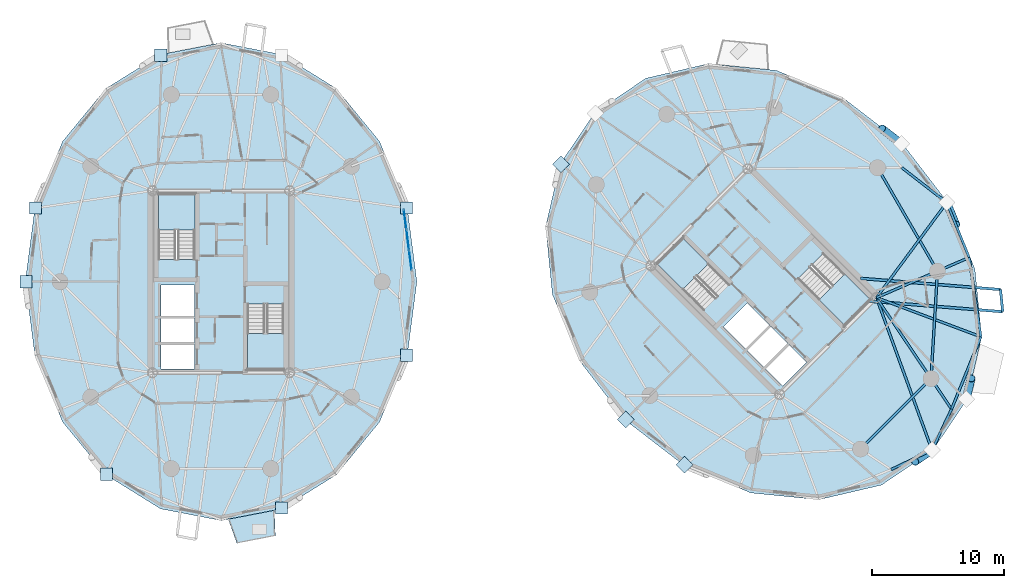
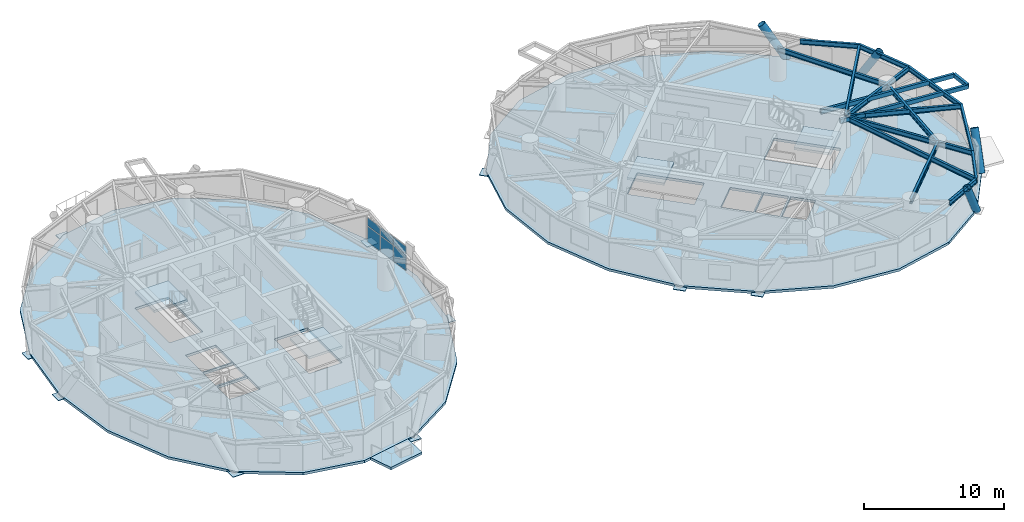
# One storey, part 8 of 19: 17 beams, 16 plates, 7 slabs, 4 members, 5 elements without a shape of their own.
"""IFC4 building model written with IfcOpenShell, lengths in metres."""

from ifc_helpers import new_model, si_unit, direction, frame, origin, origin_2d, place, context, subcontext, project, spatial, polyline, rectangle, hollow_rectangle, hollow_circle, i_section, outline, extrude, source, transform, mapped, material, layer, layer_set, material_profile, profile_set, type_object, element, aggregate, save


model = new_model("IFC4")

# Units and contexts
model_context = context("Model", 3, precision=1e-05, world=origin(), true_north=direction((0.0, 1.0)))
body_context = subcontext(model_context, "Body", "Model", "MODEL_VIEW")
ifc_project = project(units=[si_unit("LENGTHUNIT", "METRE"), si_unit("AREAUNIT", "SQUARE_METRE"), si_unit("VOLUMEUNIT", "CUBIC_METRE"), si_unit("PLANEANGLEUNIT", "RADIAN"), si_unit("MASSUNIT", "GRAM", prefix="KILO")], contexts=[model_context])

# Site, building, storey
site_placement = place(None, origin())
site = spatial("IfcSite", under=ifc_project, at=site_placement, CompositionType="ELEMENT")
building_placement = place(site_placement, origin())
building = spatial("IfcBuilding", under=site, at=building_placement, Name="Cununo Teusaquillo Station Towers", CompositionType="ELEMENT")
storey_placement = place(building_placement, frame((0.0, 0.0, 151.60009765625)))
storey = spatial("IfcBuildingStorey", under=building, at=storey_placement, Name="L47", CompositionType="ELEMENT", Elevation=151.60009765625)

# Beams
ifc_material_1 = material(Name="Steel EN 10025-2 S355J2", Category="steel")
ifc_material_profile_1 = material_profile(ifc_material_1, hollow_rectangle(XDim=0.199951171875, YDim=0.35009765625, WallThickness=0.013916015625, at=origin_2d()), Name="RHS 350x200x14")
ifc_profile_set_1 = profile_set([ifc_material_profile_1], Name="Steel EN 10025-2 S355J2")
beam_type_1 = type_object("IfcBeamType", Name="BM-BAL-CANT", PredefinedType="BEAM", material=ifc_profile_set_1)
beam_1_placement = place(storey_placement, frame((65.439697265625, 23.03515625, 2.514892578125), z_axis=(0.996837639445, -0.079465216198, 0.0), x_axis=(0.079465216198, 0.996837639445, 0.0)))
element("IfcBeam", 1, at=beam_1_placement, inside=storey, type_object=beam_type_1, Name="L47 Tower B Balcony Cantilever Bracket 2A", PredefinedType="BEAM", context=body_context, shape_type="SweptSolid", body=[
    extrude(hollow_rectangle(XDim=0.199951171875, YDim=0.35009765625, WallThickness=0.013916015625, at=origin_2d()), origin(), (0.0, 0.0, 1.0), 10.154052734375),
])
beam_2_placement = place(storey_placement, frame((64.8173828125, 24.74853515625, 2.514892578125), z_axis=(0.996839446438, -0.079442545434, 0.0), x_axis=(0.079442545434, 0.996839446438, 0.0)))
element("IfcBeam", 2, at=beam_2_placement, inside=storey, type_object=beam_type_1, Name="L47 Tower B Balcony Cantilever Bracket 2B", PredefinedType="BEAM", context=body_context, shape_type="SweptSolid", body=[
    extrude(hollow_rectangle(XDim=0.199951171875, YDim=0.35009765625, WallThickness=0.013916015625, at=origin_2d()), origin(), (0.0, 0.0, 1.0), 10.611572265625),
])
ifc_material_2 = material(Name="Steel ASTM A572 Grade 50", Category="steel")
ifc_material_profile_2 = material_profile(ifc_material_2, i_section(OverallWidth=0.180908203125, OverallDepth=0.4169921875, WebThickness=0.010986328125, FlangeThickness=0.018310546875, FilletRadius=0.012939453125, at=origin_2d()), Name="W16X57")
ifc_profile_set_2 = profile_set([ifc_material_profile_2], Name="Steel ASTM A572 Grade 50")
beam_type_2 = type_object("IfcBeamType", Name="BM-JOIST-1", PredefinedType="JOIST", material=ifc_profile_set_2)
beam_3_placement = place(storey_placement, frame((66.024169921875, 23.29443359375, 2.4814453125), z_axis=(0.34241791496, -0.939547748395, 0.0), x_axis=(0.939547748395, 0.34241791496, 0.0)))
element("IfcBeam", 3, at=beam_3_placement, inside=storey, type_object=beam_type_2, Name="L47 Tower B Radial Spandrel Joist V15", PredefinedType="JOIST", context=body_context, shape_type="SweptSolid", body=[
    extrude(i_section(OverallWidth=0.180908203125, OverallDepth=0.4169921875, WebThickness=0.010986328125, FlangeThickness=0.018310546875, FilletRadius=0.012939453125, at=origin_2d()), origin(), (0.0, 0.0, 1.0), 12.25634765625),
])
beam_4_placement = place(storey_placement, frame((66.024169921875, 23.29443359375, 2.4814453125), z_axis=(0.936244635323, -0.351348805076, 0.0), x_axis=(0.351348805076, 0.936244635323, 0.0)))
element("IfcBeam", 4, at=beam_4_placement, inside=storey, type_object=beam_type_2, Name="L47 Tower B Radial Spandrel Joist V17", PredefinedType="JOIST", context=body_context, shape_type="SweptSolid", body=[
    extrude(i_section(OverallWidth=0.180908203125, OverallDepth=0.4169921875, WebThickness=0.010986328125, FlangeThickness=0.018310546875, FilletRadius=0.012939453125, at=origin_2d()), origin(), (0.0, 0.0, 1.0), 8.4287109375),
])
beam_5_placement = place(storey_placement, frame((66.024169921875, 23.29443359375, 2.4814453125), z_axis=(0.594834179272, 0.803848430471, 0.0), x_axis=(-0.803848430471, 0.594834179272, 0.0)))
element("IfcBeam", 5, at=beam_5_placement, inside=storey, type_object=beam_type_2, Name="L47 Tower B Radial Spandrel Joist V19", PredefinedType="JOIST", context=body_context, shape_type="SweptSolid", body=[
    extrude(i_section(OverallWidth=0.180908203125, OverallDepth=0.4169921875, WebThickness=0.010986328125, FlangeThickness=0.018310546875, FilletRadius=0.012939453125, at=origin_2d()), origin(), (0.0, 0.0, 1.0), 8.936767578125),
])
ifc_material_3 = material(Name="Steel ASTM A572 Grade 50", Category="steel")
ifc_material_profile_3 = material_profile(ifc_material_3, i_section(OverallWidth=0.180908203125, OverallDepth=0.4169921875, WebThickness=0.010986328125, FlangeThickness=0.018310546875, FilletRadius=0.012939453125, at=origin_2d()), Name="W16X57")
ifc_profile_set_3 = profile_set([ifc_material_profile_3], Name="Steel ASTM A572 Grade 50")
beam_type_3 = type_object("IfcBeamType", Name="BM-RAD-G2", PredefinedType="BEAM", material=ifc_profile_set_3)
beam_6_placement = place(storey_placement, frame((66.024169921875, 23.29443359375, 2.4814453125), z_axis=(0.558570687133, -0.829456923219, 0.0), x_axis=(0.829456923219, 0.558570687133, 0.0)))
element("IfcBeam", 6, at=beam_6_placement, inside=storey, type_object=beam_type_3, Name="L47 Tower B Continuous Overhanging Radial Girder 09", PredefinedType="BEAM", context=body_context, shape_type="SweptSolid", body=[
    extrude(i_section(OverallWidth=0.180908203125, OverallDepth=0.4169921875, WebThickness=0.010986328125, FlangeThickness=0.018310546875, FilletRadius=0.012939453125, at=origin_2d()), origin(), (0.0, 0.0, 1.0), 10.1591796875),
])
beam_7_placement = place(storey_placement, frame((66.024169921875, 23.29443359375, 2.4814453125), z_axis=(0.917655964072, 0.397375806515, 0.0), x_axis=(-0.397375806515, 0.917655964072, 0.0)))
element("IfcBeam", 7, at=beam_7_placement, inside=storey, type_object=beam_type_3, Name="L47 Tower B Continuous Overhanging Radial Girder 10", PredefinedType="BEAM", context=body_context, shape_type="SweptSolid", body=[
    extrude(i_section(OverallWidth=0.180908203125, OverallDepth=0.4169921875, WebThickness=0.010986328125, FlangeThickness=0.018310546875, FilletRadius=0.012939453125, at=origin_2d()), origin(), (0.0, 0.0, 1.0), 7.6318359375),
])
ifc_material_4 = material(Name="Steel ASTM A572 Grade 50", Category="steel")
ifc_material_profile_4 = material_profile(ifc_material_4, i_section(OverallWidth=0.180908203125, OverallDepth=0.4169921875, WebThickness=0.010986328125, FlangeThickness=0.018310546875, FilletRadius=0.012939453125, at=origin_2d()), Name="W16X57")
ifc_profile_set_4 = profile_set([ifc_material_profile_4], Name="Steel ASTM A572 Grade 50")
beam_type_4 = type_object("IfcBeamType", Name="BM-RING-Z3", PredefinedType="SPANDREL", material=ifc_profile_set_4)
beam_8_placement = place(storey_placement, frame((64.826904296875, 11.853759765625, 2.4814453125), z_axis=(0.707106781187, 0.707106781187, 0.0), x_axis=(-0.707106781187, 0.707106781187, 0.0)))
element("IfcBeam", 8, at=beam_8_placement, inside=storey, type_object=beam_type_4, Name="L47 Tower B Structural Column Ring Girder 08", PredefinedType="SPANDREL", context=body_context, shape_type="SweptSolid", body=[
    extrude(i_section(OverallWidth=0.180908203125, OverallDepth=0.4169921875, WebThickness=0.010986328125, FlangeThickness=0.018310546875, FilletRadius=0.012939453125, at=origin_2d()), origin(), (0.0, 0.0, 1.0), 7.522705078125),
])
beam_9_placement = place(storey_placement, frame((70.146240234375, 17.173095703125, 2.4814453125), z_axis=(0.06012979176, 0.998190567048, 0.0), x_axis=(-0.998190567048, 0.06012979176, 0.0)))
element("IfcBeam", 9, at=beam_9_placement, inside=storey, type_object=beam_type_4, Name="L47 Tower B Structural Column Ring Girder 09", PredefinedType="SPANDREL", context=body_context, shape_type="SweptSolid", body=[
    extrude(i_section(OverallWidth=0.180908203125, OverallDepth=0.4169921875, WebThickness=0.010986328125, FlangeThickness=0.018310546875, FilletRadius=0.012939453125, at=origin_2d()), origin(), (0.0, 0.0, 1.0), 8.132568359375),
])
beam_10_placement = place(storey_placement, frame((70.63525390625, 25.291015625, 2.4814453125), z_axis=(-0.501311121078, 0.865267103202, 0.0), x_axis=(-0.865267103202, -0.501311121078, 0.0)))
element("IfcBeam", 10, at=beam_10_placement, inside=storey, type_object=beam_type_4, Name="L47 Tower B Structural Column Ring Girder 10", PredefinedType="SPANDREL", context=body_context, shape_type="SweptSolid", body=[
    extrude(i_section(OverallWidth=0.180908203125, OverallDepth=0.4169921875, WebThickness=0.010986328125, FlangeThickness=0.018310546875, FilletRadius=0.012939453125, at=origin_2d()), origin(), (0.0, 0.0, 1.0), 9.032958984375),
])
for number, where, z_axis, x_axis, name in (
    (11, (67.132080078125, 10.30126953125, 2.4814453125), (0.902077503555, 0.431574069634, 0.0), (-0.431574069634, 0.902077503555, 0.0), "L47 Tower B Spandrel Ring Beam 15"),
    (12, (70.220947265625, 11.779052734375, 2.4814453125), (0.431574069634, 0.902077503555, 0.0), (-0.902077503555, 0.431574069634, 0.0), "L47 Tower B Spandrel Ring Beam 16"),
):
    element("IfcBeam", number, at=place(storey_placement, frame(where, z_axis=z_axis, x_axis=x_axis)), inside=storey, type_object=beam_type_4, Name=name, PredefinedType="SPANDREL", context=body_context, shape_type="SweptSolid", body=[
        extrude(i_section(OverallWidth=0.180908203125, OverallDepth=0.4169921875, WebThickness=0.010986328125, FlangeThickness=0.018310546875, FilletRadius=0.012939453125, at=origin_2d()), origin(), (0.0, 0.0, 1.0), 3.424072265625),
    ])
beam_11_placement = place(storey_placement, frame((71.69873046875, 14.867919921875, 2.4814453125), z_axis=(0.375882869104, 0.926667183359, 0.0), x_axis=(-0.926667183359, 0.375882869104, 0.0)))
element("IfcBeam", 13, at=beam_11_placement, inside=storey, type_object=beam_type_4, Name="L47 Tower B Spandrel Ring Beam 17", PredefinedType="SPANDREL", context=body_context, shape_type="SweptSolid", body=[
    extrude(i_section(OverallWidth=0.180908203125, OverallDepth=0.4169921875, WebThickness=0.010986328125, FlangeThickness=0.018310546875, FilletRadius=0.012939453125, at=origin_2d()), origin(), (0.0, 0.0, 1.0), 5.8974609375),
])
beam_12_placement = place(storey_placement, frame((73.91552734375, 20.3330078125, 2.4814453125), z_axis=(-0.146535519435, 0.989205409176, 0.0), x_axis=(-0.989205409176, -0.146535519435, 0.0)))
element("IfcBeam", 14, at=beam_12_placement, inside=storey, type_object=beam_type_4, Name="L47 Tower B Spandrel Ring Beam 18", PredefinedType="SPANDREL", context=body_context, shape_type="SweptSolid", body=[
    extrude(i_section(OverallWidth=0.180908203125, OverallDepth=0.4169921875, WebThickness=0.010986328125, FlangeThickness=0.018310546875, FilletRadius=0.012939453125, at=origin_2d()), origin(), (0.0, 0.0, 1.0), 6.0595703125),
])
beam_13_placement = place(storey_placement, frame((73.027587890625, 26.3271484375, 2.4814453125), z_axis=(-0.376588942192, 0.926380466449, 0.0), x_axis=(-0.926380466449, -0.376588942192, 0.0)))
element("IfcBeam", 15, at=beam_13_placement, inside=storey, type_object=beam_type_4, Name="L47 Tower B Spandrel Ring Beam 19", PredefinedType="SPANDREL", context=body_context, shape_type="SweptSolid", body=[
    extrude(i_section(OverallWidth=0.180908203125, OverallDepth=0.4169921875, WebThickness=0.010986328125, FlangeThickness=0.018310546875, FilletRadius=0.012939453125, at=origin_2d()), origin(), (0.0, 0.0, 1.0), 4.48095703125),
])
beam_14_placement = place(storey_placement, frame((71.340087890625, 30.478271484375, 2.4814453125), z_axis=(-0.789900716386, 0.613234749711, 0.0), x_axis=(-0.613234749711, -0.789900716386, 0.0)))
element("IfcBeam", 16, at=beam_14_placement, inside=storey, type_object=beam_type_4, Name="L47 Tower B Spandrel Ring Beam 20", PredefinedType="SPANDREL", context=body_context, shape_type="SweptSolid", body=[
    extrude(i_section(OverallWidth=0.180908203125, OverallDepth=0.4169921875, WebThickness=0.010986328125, FlangeThickness=0.018310546875, FilletRadius=0.012939453125, at=origin_2d()), origin(), (0.0, 0.0, 1.0), 4.3115234375),
])
ifc_material_5 = material(Name="Steel EN 10025-2 S355J2", Category="steel")
ifc_material_profile_5 = material_profile(ifc_material_5, hollow_rectangle(XDim=0.199951171875, YDim=0.35009765625, WallThickness=0.013916015625, at=origin_2d()), Name="RHS 350x200x14")
ifc_profile_set_5 = profile_set([ifc_material_profile_5], Name="Steel EN 10025-2 S355J2")
beam_type_5 = type_object("IfcBeamType", Name="BM-STAIR-TRIM", PredefinedType="BEAM", material=ifc_profile_set_5)
beam_15_placement = place(storey_placement, frame((75.5615234375, 22.228271484375, 2.52490234375), z_axis=(-0.098499739753, 0.995137076622, 0.0), x_axis=(-0.995137076622, -0.098499739753, 0.0)))
element("IfcBeam", 17, at=beam_15_placement, inside=storey, type_object=beam_type_5, Name="L47 Tower B Balcony Edge Trimmer Beam 2", PredefinedType="BEAM", context=body_context, shape_type="SweptSolid", body=[
    extrude(hollow_rectangle(XDim=0.199951171875, YDim=0.35009765625, WallThickness=0.013916015625, at=origin_2d()), origin(), (0.0, 0.0, 1.0), 1.685546875),
])

# Members
ifc_material_6 = material(Name="Steel EN 10025-2 S355J2", Category="steel")
ifc_material_profile_6 = material_profile(ifc_material_6, hollow_circle(Radius=0.304931640625, WallThickness=0.02001953125, at=origin_2d()), Name="CHS 610x20")
ifc_profile_set_6 = profile_set([ifc_material_profile_6], Name="Steel EN 10025-2 S355J2")
member_type = type_object("IfcMemberType", Name="MBR-DIAG-Z3", PredefinedType="BRACE", material=ifc_profile_set_6)
member_1_placement = place(storey_placement, frame((67.919189453125, 34.919189453125, -0.14013671875), z_axis=(-0.428008284782, 0.329742157054, 0.841474312156), x_axis=(-0.610297820462, -0.792172058545, 0.0)))
element("IfcMember", 18, at=member_1_placement, inside=storey, type_object=member_type, Name="L47 Tower B Folded-Zigzag Diagrid Tube C00", PredefinedType="BRACE", context=body_context, shape_type="SweptSolid", body=[
    extrude(hollow_circle(Radius=0.304931640625, WallThickness=0.02001953125, at=origin_2d()), origin(), (0.0, 0.0, 1.0), 3.45849609375),
])
member_2_placement = place(storey_placement, frame((70.220947265625, 11.779052734375, -0.14013671875), z_axis=(-0.38866614009, -0.262716380625, 0.883130078131), x_axis=(0.560009784908, -0.828485993127, 0.0)))
element("IfcMember", 19, at=member_2_placement, inside=storey, type_object=member_type, Name="L47 Tower B Folded-Zigzag Diagrid Tube C14", PredefinedType="BRACE", context=body_context, shape_type="SweptSolid", body=[
    extrude(hollow_circle(Radius=0.304931640625, WallThickness=0.02001953125, at=origin_2d()), origin(), (0.0, 0.0, 1.0), 3.295166015625),
])
member_3_placement = place(storey_placement, frame((72.818115234375, 15.62158203125, -0.14013671875), z_axis=(0.109927071769, 0.471996612561, 0.874720090442), x_axis=(-0.973934946647, 0.226827510895, 0.0)))
element("IfcMember", 20, at=member_3_placement, inside=storey, type_object=member_type, Name="L47 Tower B Folded-Zigzag Diagrid Tube C16", PredefinedType="BRACE", context=body_context, shape_type="SweptSolid", body=[
    extrude(hollow_circle(Radius=0.304931640625, WallThickness=0.02001953125, at=origin_2d()), origin(), (0.0, 0.0, 1.0), 3.326904296875),
])
member_4_placement = place(storey_placement, frame((71.340087890625, 30.478271484375, -0.14013671875), z_axis=(0.200989234819, -0.488727189698, 0.848969411426), x_axis=(0.924845484437, 0.380343042419, 0.0)))
element("IfcMember", 21, at=member_4_placement, inside=storey, type_object=member_type, Name="L47 Tower B Folded-Zigzag Diagrid Tube C18", PredefinedType="BRACE", context=body_context, shape_type="SweptSolid", body=[
    extrude(hollow_circle(Radius=0.304931640625, WallThickness=0.02001953125, at=origin_2d()), origin(), (0.0, 0.0, 1.0), 3.427978515625),
])

# Slab
ifc_material_7 = material(Name="Concrete C50/60", Category="concrete")
ifc_layer_1 = layer(ifc_material_7, 0.2099609375)
ifc_layer_set_1 = layer_set([ifc_layer_1], Name="Concrete C50/60")
slab_type_1 = type_object("IfcSlabType", Name="SLB-BAL-210", PredefinedType="FLOOR", material=ifc_layer_set_1)
slab_1_placement = place(storey_placement, frame((0.0, 0.0, -0.210205078125)))
element("IfcSlab", 22, at=slab_1_placement, inside=storey, type_object=slab_type_1, Name="L47 Tower A Tree Balcony Slab 2", PredefinedType="FLOOR", context=body_context, shape_type="SweptSolid", body=[
    extrude(outline(polyline([(17.041015625, 6.54931640625), (20.53271484375, 7.22412109375), (20.6015625, 5.287109375), (17.69873046875, 4.72607421875), (17.041015625, 6.54931640625)])), origin(), (0.0, 0.0, 1.0), 0.210205078125),
])

# Stair, slab
ifc_material_8 = material(Name="Concrete C50/60", Category="concrete")
stair_type = type_object("IfcStairType", Name="ST-TWR-1300", PredefinedType="HALF_TURN_STAIR", material=ifc_material_8)
stair_1_placement = place(storey_placement, origin())
stair_1 = element("IfcStair", 23, at=stair_1_placement, inside=storey, type_object=stair_type, Name="L47 Tower A Protected Core Exit Stair 1", PredefinedType="HALF_TURN_STAIR")
ifc_material_9 = material(Name="Concrete C50/60", Category="concrete")
ifc_layer_2 = layer(ifc_material_9, 0.199951171875)
ifc_layer_set_2 = layer_set([ifc_layer_2], Name="Concrete C50/60")
slab_type_2 = type_object("IfcSlabType", Name="SLB-STAIR-LND", PredefinedType="LANDING", material=ifc_layer_set_2)
slab_2_placement = place(storey_placement, frame((0.0, 0.0, 1.2548828125)))
slab_2 = element("IfcSlab", 24, at=slab_2_placement, type_object=slab_type_2, Name="ST-T1-1 landing 1", PredefinedType="LANDING", context=body_context, shape_type="SweptSolid", body=[
    extrude(outline(polyline([(14.52001953125, 28.409912109375), (14.52001953125, 31.159912109375), (11.760009765625, 31.159912109375), (11.760009765625, 28.409912109375), (14.52001953125, 28.409912109375)])), origin(), (0.0, 0.0, 1.0), 0.199951171875),
])
aggregate(stair_1, [slab_2])

stair_2_placement = place(storey_placement, origin())
stair_2 = element("IfcStair", 25, at=stair_2_placement, inside=storey, type_object=stair_type, Name="L47 Tower A Protected Core Exit Stair 2", PredefinedType="HALF_TURN_STAIR")
slab_3_placement = place(storey_placement, frame((0.0, 0.0, 1.2548828125)))
slab_3 = element("IfcSlab", 26, at=slab_3_placement, type_object=slab_type_2, Name="ST-T1-2 landing 1", PredefinedType="LANDING", context=body_context, shape_type="SweptSolid", body=[
    extrude(outline(polyline([(18.47998046875, 20.590087890625), (18.47998046875, 17.840087890625), (21.239990234375, 17.840087890625), (21.239990234375, 20.590087890625), (18.47998046875, 20.590087890625)])), origin(), (0.0, 0.0, 1.0), 0.199951171875),
])
aggregate(stair_2, [slab_3])

stair_3_placement = place(storey_placement, origin())
stair_3 = element("IfcStair", 27, at=stair_3_placement, inside=storey, type_object=stair_type, Name="L47 Tower B Protected Core Exit Stair 1", PredefinedType="HALF_TURN_STAIR")
slab_4_placement = place(storey_placement, frame((0.0, 0.0, 1.2548828125)))
slab_4 = element("IfcSlab", 28, at=slab_4_placement, type_object=slab_type_2, Name="ST-T2-1 landing 1", PredefinedType="LANDING", context=body_context, shape_type="SweptSolid", body=[
    extrude(outline(polyline([(53.335205078125, 25.86474609375), (51.390625, 27.809326171875), (49.43896484375, 25.857666015625), (51.383544921875, 23.9130859375), (53.335205078125, 25.86474609375)])), origin(), (0.0, 0.0, 1.0), 0.199951171875),
])
aggregate(stair_3, [slab_4])

stair_4_placement = place(storey_placement, origin())
stair_4 = element("IfcStair", 29, at=stair_4_placement, inside=storey, type_object=stair_type, Name="L47 Tower B Protected Core Exit Stair 2", PredefinedType="HALF_TURN_STAIR")
slab_5_placement = place(storey_placement, frame((0.0, 0.0, 1.2548828125)))
slab_5 = element("IfcSlab", 30, at=slab_5_placement, type_object=slab_type_2, Name="ST-T2-2 landing 1", PredefinedType="LANDING", context=body_context, shape_type="SweptSolid", body=[
    extrude(outline(polyline([(61.664794921875, 23.13525390625), (63.609375, 21.190673828125), (65.56103515625, 23.142333984375), (63.616455078125, 25.0869140625), (61.664794921875, 23.13525390625)])), origin(), (0.0, 0.0, 1.0), 0.199951171875),
])
aggregate(stair_4, [slab_5])

# Slabs
ifc_material_10 = material(Name="Concrete C40/50", Category="concrete")
ifc_layer_3 = layer(ifc_material_10, 0.219970703125)
ifc_layer_set_3 = layer_set([ifc_layer_3], Name="Concrete C40/50")
slab_type_3 = type_object("IfcSlabType", Name="SLB-Z3-220", PredefinedType="FLOOR", material=ifc_layer_set_3)
slab_6_placement = place(storey_placement, frame((0.0, 0.0, -0.22021484375)))
element("IfcSlab", 31, at=slab_6_placement, inside=storey, type_object=slab_type_3, Name="L47 Tower A Floor Slab", PredefinedType="FLOOR", context=body_context, shape_type="SweptSolid", body=[
    extrude(outline(polyline([(31.294921875, 24.5), (30.57080078125, 30.077880859375), (28.469482421875, 35.109619140625), (25.1962890625, 39.102783203125), (21.072021484375, 41.66650390625), (16.5, 42.550048828125), (11.927978515625, 41.66650390625), (7.8037109375, 39.102783203125), (4.530517578125, 35.109619140625), (2.42919921875, 30.077880859375), (1.705078125, 24.5), (2.42919921875, 18.922119140625), (4.530517578125, 13.890380859375), (7.8037109375, 9.897216796875), (11.927978515625, 7.33349609375), (16.5, 6.449951171875), (21.072021484375, 7.33349609375), (25.1962890625, 9.897216796875), (28.469482421875, 13.890380859375), (30.57080078125, 18.922119140625), (31.294921875, 24.5)]), holes=[polyline([(14.52001953125, 26.176025390625), (14.52001953125, 31.159912109375), (11.760009765625, 31.159912109375), (11.760009765625, 26.176025390625), (14.52001953125, 26.176025390625)]), polyline([(18.47998046875, 22.823974609375), (18.47998046875, 17.840087890625), (21.239990234375, 17.840087890625), (21.239990234375, 22.823974609375), (18.47998046875, 22.823974609375)]), polyline([(11.949951171875, 21.85009765625), (14.47998046875, 21.85009765625), (14.47998046875, 24.25), (11.949951171875, 24.25), (11.949951171875, 21.85009765625)]), polyline([(11.949951171875, 17.89990234375), (14.47998046875, 17.89990234375), (14.47998046875, 19.75), (11.949951171875, 19.75), (11.949951171875, 17.89990234375)]), polyline([(11.949951171875, 19.89990234375), (14.47998046875, 19.89990234375), (14.47998046875, 21.75), (11.949951171875, 21.75), (11.949951171875, 19.89990234375)])]), origin(), (0.0, 0.0, 1.0), 0.22021484375),
])
slab_7_placement = place(storey_placement, frame((0.0, 0.0, -0.22021484375)))
element("IfcSlab", 32, at=slab_7_placement, inside=storey, type_object=slab_type_3, Name="L47 Tower B Floor Slab", PredefinedType="FLOOR", context=body_context, shape_type="SweptSolid", body=[
    extrude(outline(polyline([(67.961669921875, 34.961669921875), (63.505615234375, 38.393798828125), (58.461669921875, 40.4658203125), (53.323486328125, 40.97509765625), (48.59423828125, 39.871337890625), (44.73681640625, 37.26318359375), (42.128662109375, 33.40576171875), (41.02490234375, 28.676513671875), (41.5341796875, 23.538330078125), (43.606201171875, 18.494384765625), (47.038330078125, 14.038330078125), (51.494384765625, 10.606201171875), (56.538330078125, 8.5341796875), (61.676513671875, 8.02490234375), (66.40576171875, 9.128662109375), (70.26318359375, 11.73681640625), (72.871337890625, 15.59423828125), (73.97509765625, 20.323486328125), (73.4658203125, 25.461669921875), (71.393798828125, 30.505615234375), (67.961669921875, 34.961669921875)]), holes=[polyline([(54.914794921875, 24.28515625), (51.390625, 27.809326171875), (49.43896484375, 25.857666015625), (52.963134765625, 22.33349609375), (54.914794921875, 24.28515625)]), polyline([(60.085205078125, 24.71484375), (63.609375, 21.190673828125), (65.56103515625, 23.142333984375), (62.036865234375, 26.66650390625), (60.085205078125, 24.71484375)]), polyline([(56.156494140625, 19.40869140625), (57.945556640625, 21.19775390625), (56.248291015625, 22.89501953125), (54.45947265625, 21.10595703125), (56.156494140625, 19.40869140625)]), polyline([(58.94970703125, 16.61572265625), (60.738525390625, 18.40478515625), (59.430419921875, 19.712890625), (57.641357421875, 17.923828125), (58.94970703125, 16.61572265625)]), polyline([(57.535400390625, 18.030029296875), (59.32421875, 19.819091796875), (58.01611328125, 21.127197265625), (56.227294921875, 19.338134765625), (57.535400390625, 18.030029296875)])]), origin(), (0.0, 0.0, 1.0), 0.22021484375),
])

# Plates
ifc_material_11 = material(Name="Steel ASTM A572 Grade 50", Category="steel")
ifc_layer_4 = layer(ifc_material_11, 0.050048828125)
ifc_layer_set_4 = layer_set([ifc_layer_4], Name="Steel ASTM A572 Grade 50")
plate_type_1 = type_object("IfcPlateType", Name="PLT-NODE-DN1", PredefinedType="USERDEFINED", material=ifc_layer_set_4)
shared_shape_1 = source(origin(), body_context, "Body", "SweptSolid", [
    extrude(rectangle(XDim=0.919921875, YDim=0.919921875, at=origin_2d()), origin(), (0.0, 0.0, 1.0), 0.050048828125),
])
for number, where, z_axis, x_axis, name in (
    (33, (30.513916015625, 30.05908203125, -0.1650390625), (0.0, 0.0, 1.0), (1.0, 0.0, 0.0), "L47 Tower A Diagrid Node Assembly C01"),
    (34, (11.946533203125, 41.609619140625, -0.1650390625), (0.0, 0.0, 1.0), (1.0, 0.0, 0.0), "L47 Tower A Diagrid Node Assembly C06"),
    (35, (2.486083984375, 30.05908203125, -0.1650390625), (0.0, 0.0, 1.0), (1.0, 0.0, 0.0), "L47 Tower A Diagrid Node Assembly C08"),
    (36, (1.764892578125, 24.5, -0.1650390625), (0.0, 0.0, 1.0), (1.0, 0.0, 0.0), "L47 Tower A Diagrid Node Assembly C10"),
    (37, (7.839111328125, 9.94580078125, -0.1650390625), (0.0, 0.0, 1.0), (1.0, 0.0, 0.0), "L47 Tower A Diagrid Node Assembly C12"),
    (38, (21.053466796875, 7.390380859375, -0.1650390625), (0.0, 0.0, 1.0), (1.0, 0.0, 0.0), "L47 Tower A Diagrid Node Assembly C16"),
    (39, (30.513916015625, 18.94091796875, -0.1650390625), (0.0, 0.0, 1.0), (1.0, 0.0, 0.0), "L47 Tower A Diagrid Node Assembly C18"),
    (40, (42.181884765625, 33.37841796875, -0.1650390625), (0.0, 0.0, 1.0), (0.707106781187, 0.707106781187, 0.0), "L47 Tower B Diagrid Node Assembly C06"),
    (41, (47.080810546875, 14.080810546875, -0.1650390625), (0.0, 0.0, 1.0), (0.707106781187, 0.707106781187, 0.0), "L47 Tower B Diagrid Node Assembly C09"),
    (42, (51.521728515625, 10.659912109375, -0.1650390625), (0.0, 0.0, 1.0), (0.707106781187, 0.707106781187, 0.0), "L47 Tower B Diagrid Node Assembly C11"),
):
    element("IfcPlate", number, at=place(storey_placement, frame(where, z_axis=z_axis, x_axis=x_axis)), inside=storey, type_object=plate_type_1, Name=name, ObjectType="GUSSET PLATE", PredefinedType="USERDEFINED", context=body_context, shape_type="MappedRepresentation", body=[
        mapped(shared_shape_1, transform((0.0, 0.0, 0.0), x_axis=(1.0, 0.0, 0.0), y_axis=(0.0, 1.0, 0.0), z_axis=(0.0, 0.0, 1.0), scale=1.0)),
    ])

# Curtain wall, plates
ifc_material_12 = material(Name="Operable acoustic tinted low-E double glazing", Category="glass")
ifc_layer_5 = layer(ifc_material_12, 0.179931640625)
ifc_layer_set_5 = layer_set([ifc_layer_5], Name="Operable acoustic tinted low-E double glazing")
curtain_wall_type = type_object("IfcCurtainWallType", Name="CW-SYS-06", PredefinedType="USERDEFINED", material=ifc_layer_set_5)
curtain_wall_placement = place(storey_placement, origin())
curtain_wall = element("IfcCurtainWall", 43, at=curtain_wall_placement, inside=storey, type_object=curtain_wall_type, Name="L47 Tower A Facade Curtain Wall C00", ObjectType="OPERABLE GLAZING", PredefinedType="USERDEFINED")
ifc_material_13 = material(Name="Operable acoustic tinted low-E double glazing", Category="glass")
ifc_layer_6 = layer(ifc_material_13, 0.031982421875)
ifc_layer_set_6 = layer_set([ifc_layer_6], Name="Operable acoustic tinted low-E double glazing")
plate_type_2 = type_object("IfcPlateType", Name="CWP-OPER-32", PredefinedType="CURTAIN_PANEL", material=ifc_layer_set_6)
shared_shape_2 = source(origin(), body_context, "Body", "SweptSolid", [
    extrude(rectangle(XDim=1.46484375, YDim=0.031982421875, at=origin_2d()), origin(), (0.0, 0.0, 1.0), 1.361572265625),
])
plate_1_placement = place(storey_placement, frame((30.406982421875, 29.200439453125, 0.06494140625), z_axis=(0.0, 0.0, 1.0), x_axis=(0.128292898403, -0.991736321922, 0.0)))
plate_1 = element("IfcPlate", 44, at=plate_1_placement, type_object=plate_type_2, Name="CW-06 panel 1.1", PredefinedType="CURTAIN_PANEL", context=body_context, shape_type="MappedRepresentation", body=[
    mapped(shared_shape_2, transform((0.0, 0.0, 0.0), x_axis=(1.0, 0.0, 0.0), y_axis=(0.0, 1.0, 0.0), z_axis=(0.0, 0.0, 1.0), scale=1.0)),
])
plate_2_placement = place(storey_placement, frame((30.8037109375, 26.1337890625, 0.06494140625), z_axis=(0.0, 0.0, 1.0), x_axis=(0.128292898403, -0.991736321922, 0.0)))
plate_2 = element("IfcPlate", 45, at=plate_2_placement, type_object=plate_type_2, Name="CW-06 panel 3.1", PredefinedType="CURTAIN_PANEL", context=body_context, shape_type="MappedRepresentation", body=[
    mapped(shared_shape_2, transform((0.0, 0.0, 0.0), x_axis=(1.0, 0.0, 0.0), y_axis=(0.0, 1.0, 0.0), z_axis=(0.0, 0.0, 1.0), scale=1.0)),
])
shared_shape_3 = source(origin(), body_context, "Body", "SweptSolid", [
    extrude(rectangle(XDim=1.46484375, YDim=0.031982421875, at=origin_2d()), origin(), (0.0, 0.0, 1.0), 0.6884765625),
])
plate_3_placement = place(storey_placement, frame((30.406982421875, 29.200439453125, 1.491455078125), z_axis=(0.0, 0.0, 1.0), x_axis=(0.128292898403, -0.991736321922, 0.0)))
plate_3 = element("IfcPlate", 46, at=plate_3_placement, type_object=plate_type_2, Name="CW-06 panel 1.2", PredefinedType="CURTAIN_PANEL", context=body_context, shape_type="MappedRepresentation", body=[
    mapped(shared_shape_3, transform((0.0, 0.0, 0.0), x_axis=(1.0, 0.0, 0.0), y_axis=(0.0, 1.0, 0.0), z_axis=(0.0, 0.0, 1.0), scale=1.0)),
])
plate_4_placement = place(storey_placement, frame((30.8037109375, 26.1337890625, 1.491455078125), z_axis=(0.0, 0.0, 1.0), x_axis=(0.128292898403, -0.991736321922, 0.0)))
plate_4 = element("IfcPlate", 47, at=plate_4_placement, type_object=plate_type_2, Name="CW-06 panel 3.2", PredefinedType="CURTAIN_PANEL", context=body_context, shape_type="MappedRepresentation", body=[
    mapped(shared_shape_3, transform((0.0, 0.0, 0.0), x_axis=(1.0, 0.0, 0.0), y_axis=(0.0, 1.0, 0.0), z_axis=(0.0, 0.0, 1.0), scale=1.0)),
])
shared_shape_4 = source(origin(), body_context, "Body", "SweptSolid", [
    extrude(rectangle(XDim=1.497314453125, YDim=0.031982421875, at=origin_2d()), origin(), (0.0, 0.0, 1.0), 1.361572265625),
])
plate_5_placement = place(storey_placement, frame((30.605224609375, 27.6669921875, 0.06494140625), z_axis=(0.0, 0.0, 1.0), x_axis=(0.128292898403, -0.991736321922, 0.0)))
plate_5 = element("IfcPlate", 48, at=plate_5_placement, type_object=plate_type_2, Name="CW-06 panel 2.1", PredefinedType="CURTAIN_PANEL", context=body_context, shape_type="MappedRepresentation", body=[
    mapped(shared_shape_4, transform((0.0, 0.0, 0.0), x_axis=(1.0, 0.0, 0.0), y_axis=(0.0, 1.0, 0.0), z_axis=(0.0, 0.0, 1.0), scale=1.0)),
])
shared_shape_5 = source(origin(), body_context, "Body", "SweptSolid", [
    extrude(rectangle(XDim=1.497314453125, YDim=0.031982421875, at=origin_2d()), origin(), (0.0, 0.0, 1.0), 0.6884765625),
])
plate_6_placement = place(storey_placement, frame((30.605224609375, 27.6669921875, 1.491455078125), z_axis=(0.0, 0.0, 1.0), x_axis=(0.128292898403, -0.991736321922, 0.0)))
plate_6 = element("IfcPlate", 49, at=plate_6_placement, type_object=plate_type_2, Name="CW-06 panel 2.2", PredefinedType="CURTAIN_PANEL", context=body_context, shape_type="MappedRepresentation", body=[
    mapped(shared_shape_5, transform((0.0, 0.0, 0.0), x_axis=(1.0, 0.0, 0.0), y_axis=(0.0, 1.0, 0.0), z_axis=(0.0, 0.0, 1.0), scale=1.0)),
])
aggregate(curtain_wall, [plate_1, plate_3, plate_5, plate_6, plate_2, plate_4])

save(model, "model.ifc")
